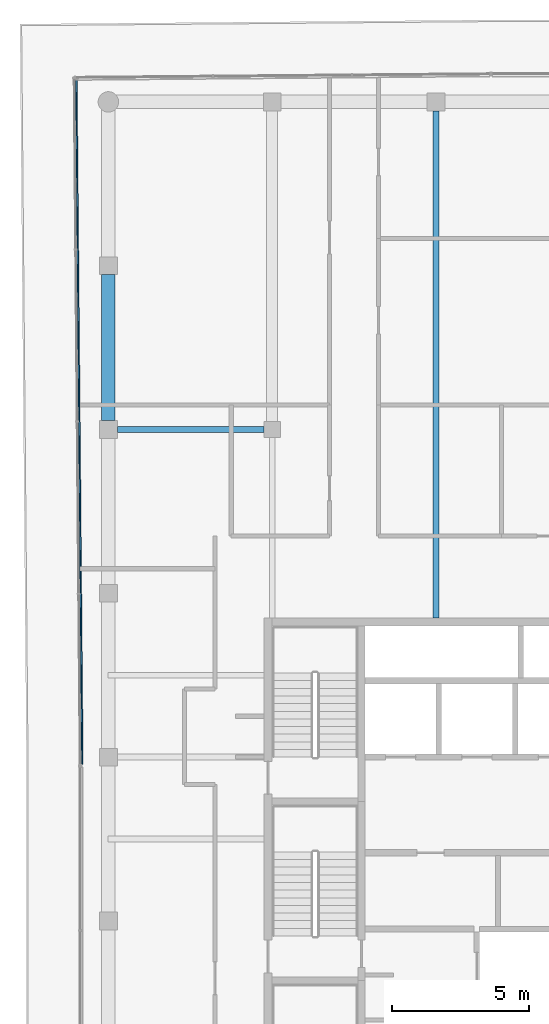
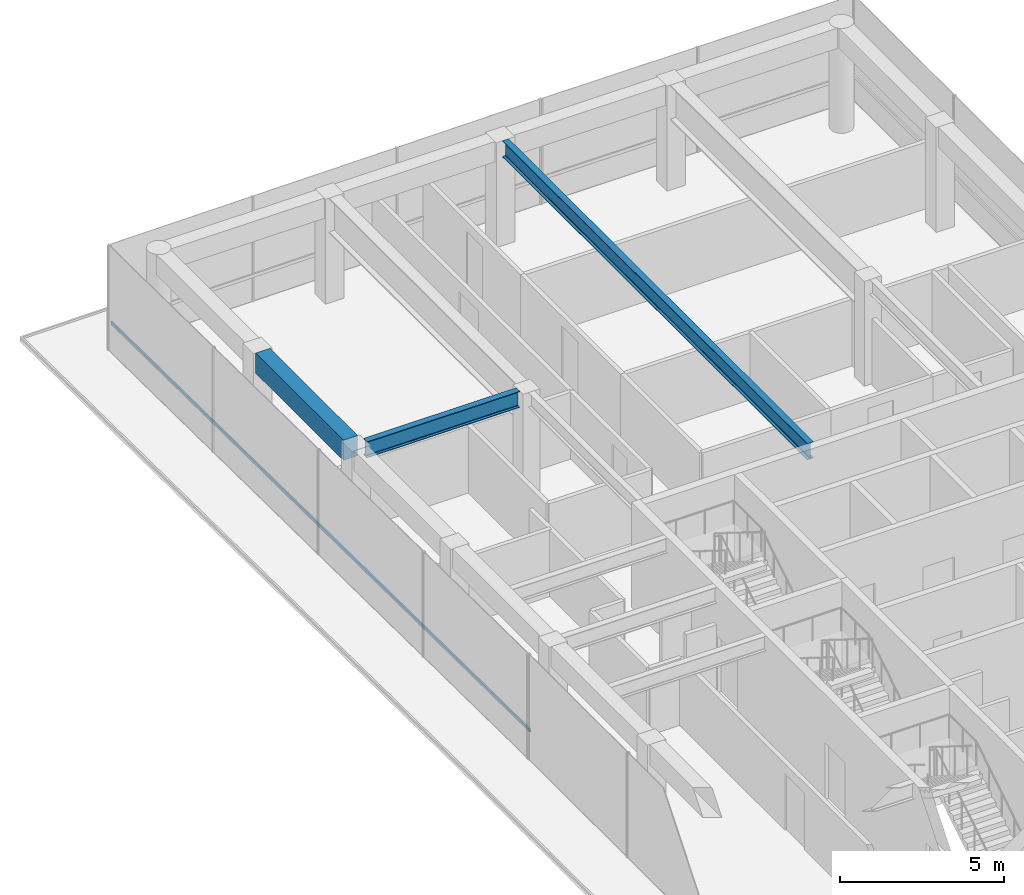
# One storey, part 9 of 21: 3 beams, 1 member, 1 element without a shape of its own.
"""IFC4 building model written with IfcOpenShell, lengths in metres."""

from ifc_helpers import new_model, si_unit, direction, frame, origin, origin_2d, place, context, subcontext, project, spatial, rectangle, i_section, extrude, material, layer, layer_set, material_profile, profile_set, type_object, element, aggregate, save


model = new_model("IFC4")

# Units and contexts
model_context = context("Model", 3, precision=1e-05, world=origin(), true_north=direction((0.0, 1.0)))
body_context = subcontext(model_context, "Body", "Model", "MODEL_VIEW")
ifc_project = project(units=[si_unit("LENGTHUNIT", "METRE"), si_unit("AREAUNIT", "SQUARE_METRE"), si_unit("VOLUMEUNIT", "CUBIC_METRE"), si_unit("PLANEANGLEUNIT", "RADIAN"), si_unit("MASSUNIT", "GRAM", prefix="KILO")], contexts=[model_context])

# Site, building, storey
site_placement = place(None, origin())
site = spatial("IfcSite", under=ifc_project, at=site_placement, CompositionType="ELEMENT")
building_placement = place(site_placement, origin())
building = spatial("IfcBuilding", under=site, at=building_placement, Name="Welwitschia Terrace Campus", CompositionType="ELEMENT")
storey_placement = place(building_placement, frame((0.0, 0.0, 331.39990234375)))
storey = spatial("IfcBuildingStorey", under=building, at=storey_placement, Name="L74", CompositionType="ELEMENT", Elevation=331.39990234375)

# Beams
ifc_material_1 = material(Name="Steel S355", Category="steel")
ifc_material_profile_1 = material_profile(ifc_material_1, i_section(OverallWidth=0.219970703125, OverallDepth=0.60009765625, WebThickness=0.011962890625, FlangeThickness=0.01904296875, FilletRadius=0.02392578125, at=origin_2d()))
ifc_profile_set_1 = profile_set([ifc_material_profile_1], Name="Steel S355")
beam_type_1 = type_object("IfcBeamType", Name="Primary beam IPE 600", PredefinedType="BEAM", material=ifc_profile_set_1)
beam_1_placement = place(storey_placement, frame((12.0, 43.674560546875, 3.60009765625), z_axis=(0.0, -1.0, 0.0), x_axis=(1.0, 0.0, 0.0)))
element("IfcBeam", 1, at=beam_1_placement, inside=storey, type_object=beam_type_1, Name="Primary beam PB7", PredefinedType="BEAM", context=body_context, shape_type="SweptSolid", body=[
    extrude(i_section(OverallWidth=0.219970703125, OverallDepth=0.60009765625, WebThickness=0.011962890625, FlangeThickness=0.01904296875, FilletRadius=0.02392578125, at=origin_2d()), origin(), (0.0, 0.0, 1.0), 18.574462890625),
])
beam_2_placement = place(storey_placement, frame((0.325439453125, 32.0, 3.60009765625), z_axis=(1.0, 0.0, 0.0), x_axis=(0.0, 1.0, 0.0)))
element("IfcBeam", 2, at=beam_2_placement, inside=storey, type_object=beam_type_1, Name="Primary beam PB7", PredefinedType="BEAM", context=body_context, shape_type="SweptSolid", body=[
    extrude(i_section(OverallWidth=0.219970703125, OverallDepth=0.60009765625, WebThickness=0.011962890625, FlangeThickness=0.01904296875, FilletRadius=0.02392578125, at=origin_2d()), origin(), (0.0, 0.0, 1.0), 5.3740234375),
])
ifc_material_2 = material(Name="Concrete C40/50", Category="concrete")
ifc_material_profile_2 = material_profile(ifc_material_2, rectangle(XDim=0.5, YDim=0.75, at=origin_2d()))
ifc_profile_set_2 = profile_set([ifc_material_profile_2], Name="Concrete C40/50")
beam_type_2 = type_object("IfcBeamType", Name="Ring spandrel 500x750", PredefinedType="SPANDREL", material=ifc_profile_set_2)
beam_3_placement = place(storey_placement, frame((0.0, 37.674560546875, 3.525146484375), z_axis=(0.0, -1.0, 0.0), x_axis=(1.0, 0.0, 0.0)))
element("IfcBeam", 3, at=beam_3_placement, inside=storey, type_object=beam_type_2, Name="Spandrel SP5", PredefinedType="SPANDREL", context=body_context, shape_type="SweptSolid", body=[
    extrude(rectangle(XDim=0.5, YDim=0.75, at=origin_2d()), origin(), (0.0, 0.0, 1.0), 5.34912109375),
])

# Curtain wall, member
ifc_material_3 = material(Name="Bronze anodised aluminium", Category="aluminium")
ifc_layer = layer(ifc_material_3, 0.10009765625)
ifc_layer_set = layer_set([ifc_layer], Name="Bronze anodised aluminium")
curtain_wall_type = type_object("IfcCurtainWallType", Name="Curtain wall CW5 crown 6000", PredefinedType="NOTDEFINED", material=ifc_layer_set)
curtain_wall_placement = place(storey_placement, origin())
curtain_wall = element("IfcCurtainWall", 4, at=curtain_wall_placement, inside=storey, type_object=curtain_wall_type, Name="CW L74.0.0", PredefinedType="NOTDEFINED")
ifc_material_4 = material(Name="Bronze anodised aluminium", Category="aluminium")
ifc_material_profile_3 = material_profile(ifc_material_4, rectangle(XDim=0.050048828125, YDim=0.1201171875, at=origin_2d()))
ifc_profile_set_3 = profile_set([ifc_material_profile_3], Name="Bronze anodised aluminium")
member_type = type_object("IfcMemberType", Name="Transom 50x120", PredefinedType="USERDEFINED", material=ifc_profile_set_3)
member_placement = place(storey_placement, frame((-1.174560546875, 44.847412109375, 1.0), z_axis=(0.008729046935, -0.999961901144, 0.0), x_axis=(0.999961901144, 0.008729046935, 0.0)))
member = element("IfcMember", 5, at=member_placement, type_object=member_type, Name="Transom L74.0.0", ObjectType="TRANSOM", PredefinedType="USERDEFINED", context=body_context, shape_type="SweptSolid", body=[
    extrude(rectangle(XDim=0.050048828125, YDim=0.1201171875, at=origin_2d()), origin(), (0.0, 0.0, 1.0), 25.115966796875),
])
aggregate(curtain_wall, [member])

save(model, "model.ifc")
